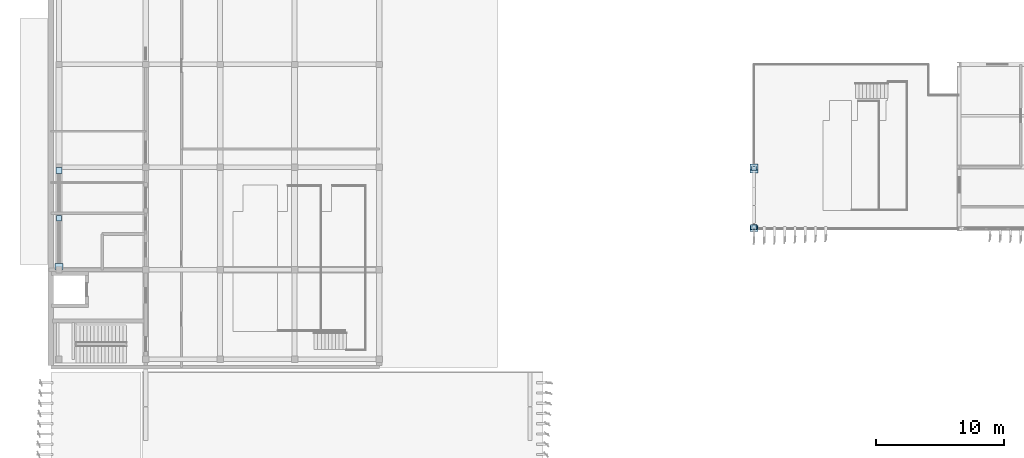
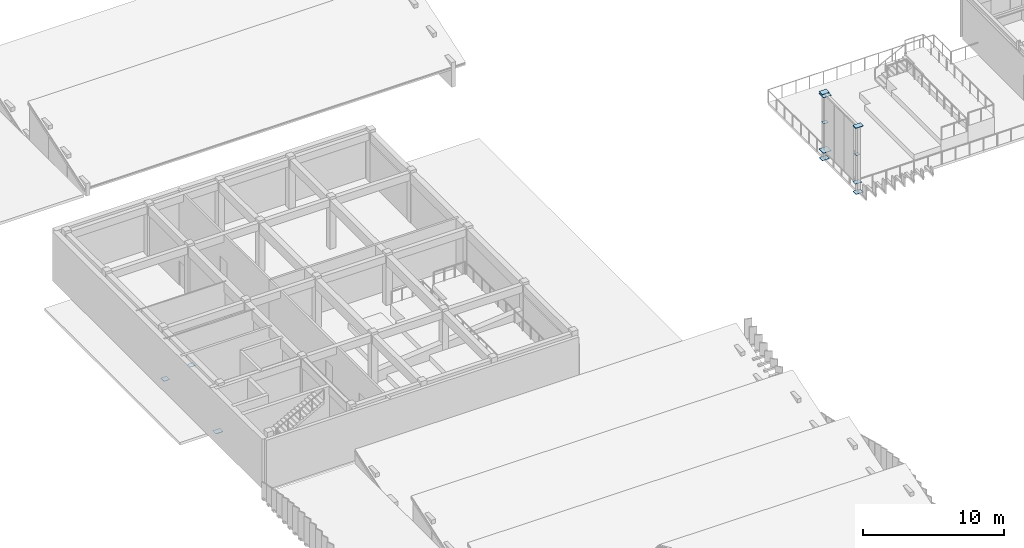
# One storey, part 25 of 45: 13 plates.
"""IFC4 building model written with IfcOpenShell, lengths in metres."""

from ifc_helpers import new_model, si_unit, direction, frame, origin, origin_2d, place, context, subcontext, project, spatial, rectangle, extrude, material, layer, layer_set, type_object, element, save


model = new_model("IFC4")

# Units and contexts
model_context = context("Model", 3, precision=1e-05, world=origin(), true_north=direction((0.0, 1.0)))
body_context = subcontext(model_context, "Body", "Model", "MODEL_VIEW")
ifc_project = project(units=[si_unit("LENGTHUNIT", "METRE"), si_unit("AREAUNIT", "SQUARE_METRE"), si_unit("VOLUMEUNIT", "CUBIC_METRE"), si_unit("PLANEANGLEUNIT", "RADIAN"), si_unit("MASSUNIT", "GRAM", prefix="KILO")], contexts=[model_context])

# Site, building, storey
site_placement = place(None, origin())
site = spatial("IfcSite", under=ifc_project, at=site_placement, CompositionType="ELEMENT")
building_placement = place(site_placement, origin())
building = spatial("IfcBuilding", under=site, at=building_placement, Name="Cinchona Park Media Centre", CompositionType="ELEMENT")
storey_placement = place(building_placement, frame((0.0, 0.0, 20.39990234375)))
storey = spatial("IfcBuildingStorey", under=building, at=storey_placement, Name="L04", CompositionType="ELEMENT", Elevation=20.39990234375)

# Plates
ifc_material_1 = material(Name="Steel S355", Category="steel")
ifc_layer_1 = layer(ifc_material_1, 0.02001953125)
ifc_layer_set_1 = layer_set([ifc_layer_1], Name="Steel S355")
plate_type_1 = type_object("IfcPlateType", Name="PLATE-GP01", PredefinedType="USERDEFINED", material=ifc_layer_set_1)
plate_1_placement = place(storey_placement, frame((8.639892578125, 75.60009765625, 3.469970703125), z_axis=(0.0, 0.0, 1.0), x_axis=(1.0, 0.0, 0.0)))
element("IfcPlate", 1, at=plate_1_placement, inside=storey, type_object=plate_type_1, Name="Truss Node Gusset Plate TN2", ObjectType="GUSSET PLATE", PredefinedType="USERDEFINED", context=body_context, shape_type="SweptSolid", body=[
    extrude(rectangle(XDim=0.419921875, YDim=0.419921875, at=origin_2d()), origin(), (0.0, 0.0, 1.0), 0.02001953125),
])
ifc_material_2 = material(Name="Steel S355", Category="steel")
ifc_layer_2 = layer(ifc_material_2, 0.02197265625)
ifc_layer_set_2 = layer_set([ifc_layer_2], Name="Steel S355")
plate_type_2 = type_object("IfcPlateType", Name="PLATE-GP02", PredefinedType="USERDEFINED", material=ifc_layer_set_2)
plate_2_placement = place(storey_placement, frame((8.639892578125, 79.344970703125, -0.005859375), z_axis=(0.0, 0.0, 1.0), x_axis=(1.0, 0.0, 0.0)))
element("IfcPlate", 2, at=plate_2_placement, inside=storey, type_object=plate_type_2, Name="Truss Node Gusset Plate TN2", ObjectType="GUSSET PLATE", PredefinedType="USERDEFINED", context=body_context, shape_type="SweptSolid", body=[
    extrude(rectangle(XDim=0.47998046875, YDim=0.47998046875, at=origin_2d()), origin(), (0.0, 0.0, 1.0), 0.02197265625),
])
ifc_material_3 = material(Name="Steel S355", Category="steel")
ifc_layer_3 = layer(ifc_material_3, 0.02587890625)
ifc_layer_set_3 = layer_set([ifc_layer_3], Name="Steel S355")
plate_type_3 = type_object("IfcPlateType", Name="PLATE-GP04", PredefinedType="USERDEFINED", material=ifc_layer_set_3)
for number, where, z_axis, x_axis, name in (
    (3, (62.800048828125, 74.800048828125, 0.000244140625), (0.0, 0.0, 1.0), (1.0, 0.0, 0.0), "Truss Node Gusset Plate TN4"),
    (4, (62.800048828125, 74.800048828125, 5.72412109375), (0.0, 0.0, 1.0), (1.0, 0.0, 0.0), "Truss Node Gusset Plate TN4"),
    (5, (62.800048828125, 79.60009765625, 0.000244140625), (0.0, 0.0, 1.0), (1.0, 0.0, 0.0), "Truss Node Gusset Plate TN4"),
    (6, (62.800048828125, 79.60009765625, 5.72412109375), (0.0, 0.0, 1.0), (1.0, 0.0, 0.0), "Truss Node Gusset Plate TN4"),
    (7, (8.639892578125, 71.85498046875, -0.0078125), (0.0, 0.0, 1.0), (1.0, 0.0, 0.0), "Truss Node Gusset Plate TN2"),
):
    element("IfcPlate", number, at=place(storey_placement, frame(where, z_axis=z_axis, x_axis=x_axis)), inside=storey, type_object=plate_type_3, Name=name, ObjectType="GUSSET PLATE", PredefinedType="USERDEFINED", context=body_context, shape_type="SweptSolid", body=[
        extrude(rectangle(XDim=0.60009765625, YDim=0.4599609375, at=origin_2d()), origin(), (0.0, 0.0, 1.0), 0.02587890625),
    ])
ifc_material_4 = material(Name="Steel S355", Category="steel")
ifc_layer_4 = layer(ifc_material_4, 0.01806640625)
ifc_layer_set_4 = layer_set([ifc_layer_4], Name="Steel S355")
plate_type_4 = type_object("IfcPlateType", Name="PLATE-PL01", PredefinedType="SHEET", material=ifc_layer_set_4)
plate_3_placement = place(storey_placement, frame((62.800048828125, 74.919921875, 3.191162109375), z_axis=(0.0, 0.0, 1.0), x_axis=(1.0, 0.0, 0.0)))
element("IfcPlate", 8, at=plate_3_placement, inside=storey, type_object=plate_type_4, Name="Hollow Member End Cap Plate PL01", PredefinedType="SHEET", context=body_context, shape_type="SweptSolid", body=[
    extrude(rectangle(XDim=0.320068359375, YDim=0.320068359375, at=origin_2d()), origin(), (0.0, 0.0, 1.0), 0.01806640625),
])
ifc_material_5 = material(Name="Steel S355", Category="steel")
ifc_layer_5 = layer(ifc_material_5, 0.02001953125)
ifc_layer_set_5 = layer_set([ifc_layer_5], Name="Steel S355")
plate_type_5 = type_object("IfcPlateType", Name="PLATE-PL02", PredefinedType="SHEET", material=ifc_layer_set_5)
plate_4_placement = place(storey_placement, frame((62.800048828125, 79.47998046875, 3.190185546875), z_axis=(0.0, 0.0, 1.0), x_axis=(1.0, 0.0, 0.0)))
element("IfcPlate", 9, at=plate_4_placement, inside=storey, type_object=plate_type_5, Name="Hollow Member End Cap Plate PL02", PredefinedType="SHEET", context=body_context, shape_type="SweptSolid", body=[
    extrude(rectangle(XDim=0.39990234375, YDim=0.320068359375, at=origin_2d()), origin(), (0.0, 0.0, 1.0), 0.02001953125),
])
ifc_material_6 = material(Name="Steel S355", Category="steel")
ifc_layer_6 = layer(ifc_material_6, 0.02392578125)
ifc_layer_set_6 = layer_set([ifc_layer_6], Name="Steel S355")
plate_type_6 = type_object("IfcPlateType", Name="PLATE-PL03", PredefinedType="SHEET", material=ifc_layer_set_6)
for number, where, z_axis, x_axis, name in (
    (10, (62.800048828125, 74.919921875, 0.7880859375), (0.0, 0.0, 1.0), (1.0, 0.0, 0.0), "Hollow Member End Cap Plate PL03"),
    (11, (62.800048828125, 74.919921875, 5.588134765625), (0.0, 0.0, 1.0), (1.0, 0.0, 0.0), "Hollow Member End Cap Plate PL03"),
):
    element("IfcPlate", number, at=place(storey_placement, frame(where, z_axis=z_axis, x_axis=x_axis)), inside=storey, type_object=plate_type_6, Name=name, PredefinedType="SHEET", context=body_context, shape_type="SweptSolid", body=[
        extrude(rectangle(XDim=0.52001953125, YDim=0.39990234375, at=origin_2d()), origin(), (0.0, 0.0, 1.0), 0.02392578125),
    ])
ifc_material_7 = material(Name="Steel S355", Category="steel")
ifc_layer_7 = layer(ifc_material_7, 0.030029296875)
ifc_layer_set_7 = layer_set([ifc_layer_7], Name="Steel S355")
plate_type_7 = type_object("IfcPlateType", Name="PLATE-PL04", PredefinedType="SHEET", material=ifc_layer_set_7)
for number, where, z_axis, x_axis, name in (
    (12, (62.800048828125, 79.47998046875, 0.78515625), (0.0, 0.0, 1.0), (1.0, 0.0, 0.0), "Hollow Member End Cap Plate PL04"),
    (13, (62.800048828125, 79.47998046875, 5.5849609375), (0.0, 0.0, 1.0), (1.0, 0.0, 0.0), "Hollow Member End Cap Plate PL04"),
):
    element("IfcPlate", number, at=place(storey_placement, frame(where, z_axis=z_axis, x_axis=x_axis)), inside=storey, type_object=plate_type_7, Name=name, PredefinedType="SHEET", context=body_context, shape_type="SweptSolid", body=[
        extrude(rectangle(XDim=0.639892578125, YDim=0.639892578125, at=origin_2d()), origin(), (0.0, 0.0, 1.0), 0.030029296875),
    ])

save(model, "model.ifc")
